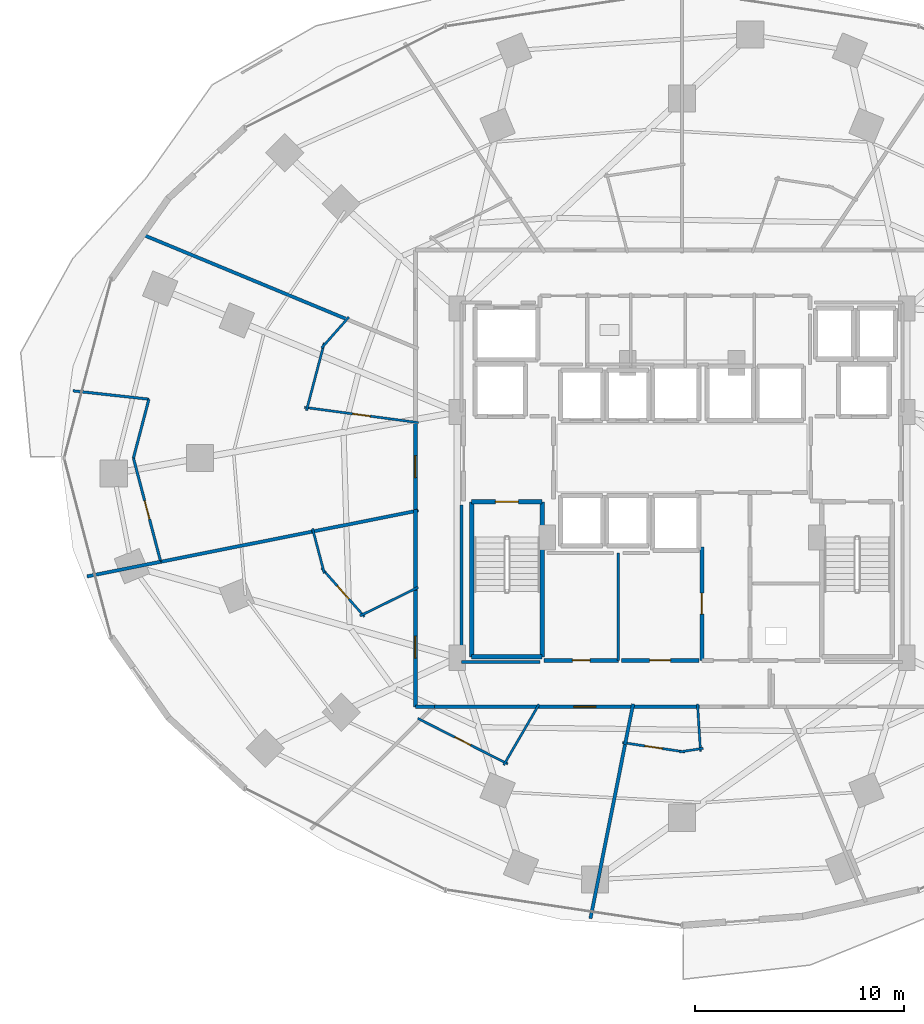
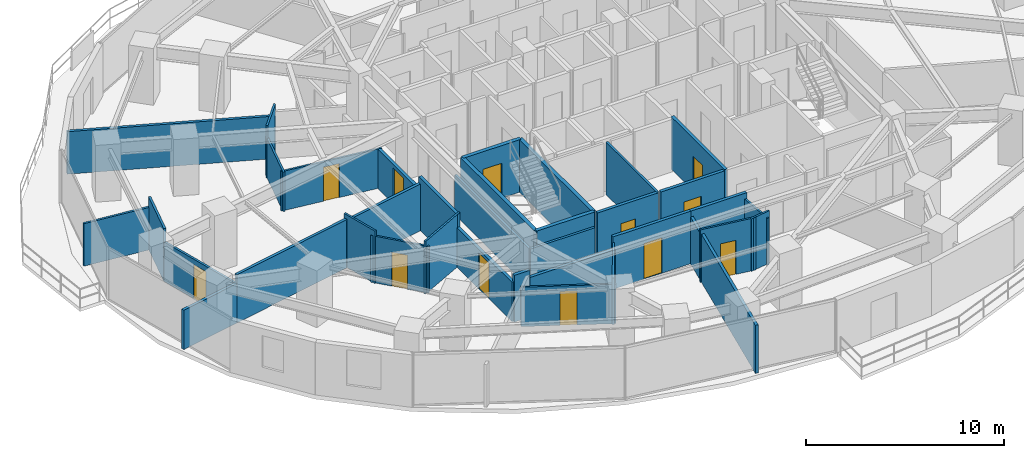
# One storey, part 27 of 35: 37 walls, 12 doors, 12 openings.
"""IFC4 building model written with IfcOpenShell, lengths in metres."""

import ifcopenshell
import ifcopenshell.guid

model = None  # the IFC model being written
_history = None  # IfcOwnerHistory: only IFC2X3 demands one
_inside = {}  # id of a spatial element -> (the spatial element, [elements in it])
_under = {}  # id of a project, library or spatial element -> (it, [spatial elements below it])
_declared = {}  # id of a project -> (the project, [libraries it declares])
_typed = {}  # id of a type object -> (the type object, [elements of that type])
_made_of = {}  # id of a material, layer set ... -> (it, [elements and type objects made of it])


def new_model(schema):
    """Start an empty IFC model of exactly this schema.

    Asked for "IFC4X3", IfcOpenShell would pick the latest addendum, in which some entities
    have other attributes; the version numbers below select the first issue.
    IFC2X3 requires an IfcOwnerHistory on every rooted entity: one is made here for all.
    """
    global model, _history
    if schema == "IFC4X3":
        model = ifcopenshell.file(schema_version=(4, 3, 0, 0))
    else:
        model = ifcopenshell.file(schema=schema)
    _inside.clear()
    _under.clear()
    _declared.clear()
    _typed.clear()
    _made_of.clear()
    _history = None
    if model.schema == "IFC2X3":
        org = make("IfcOrganization", Name="unknown")
        user = make(
            "IfcPersonAndOrganization",
            ThePerson=make("IfcPerson", FamilyName="unknown"),
            TheOrganization=org,
        )
        app = make(
            "IfcApplication",
            ApplicationDeveloper=org,
            Version="unknown",
            ApplicationFullName="unknown",
            ApplicationIdentifier="unknown",
        )
        _history = make(
            "IfcOwnerHistory",
            OwningUser=user,
            OwningApplication=app,
            ChangeAction="ADDED",
            CreationDate=0,
        )
    return model


def make(cls, **values):
    """One entity of the class cls with the attributes given. An attribute that is None is left unset."""
    return model.create_entity(
        cls, **{name: value for name, value in values.items() if value is not None}
    )


def rooted(cls, **values):
    """An entity with a GlobalId (a new one), such as an element, a storey or a relation."""
    return make(cls, GlobalId=ifcopenshell.guid.new(), OwnerHistory=_history, **values)


def si_unit(unit_type, name, prefix=None):
    """IfcSIUnit, for example si_unit("LENGTHUNIT", "METRE", prefix="MILLI")."""
    return make("IfcSIUnit", UnitType=unit_type, Prefix=prefix, Name=name)


def assignment(units):
    """IfcUnitAssignment: the units of a project."""
    return None if units is None else make("IfcUnitAssignment", Units=units)


def point(xyz):
    """IfcCartesianPoint."""
    return None if xyz is None else make("IfcCartesianPoint", Coordinates=xyz)


def direction(xyz):
    """IfcDirection."""
    return None if xyz is None else make("IfcDirection", DirectionRatios=xyz)


def frame(location, z_axis=None, x_axis=None):
    """IfcAxis2Placement3D, a coordinate frame: its origin and axes. An axis left out is left unset."""
    return make(
        "IfcAxis2Placement3D",
        Location=point(location),
        Axis=direction(z_axis),
        RefDirection=direction(x_axis),
    )


def frame_2d(location, x_axis=None):
    """IfcAxis2Placement2D, a coordinate frame in the plane: its origin and x axis."""
    return make(
        "IfcAxis2Placement2D", Location=point(location), RefDirection=direction(x_axis)
    )


def origin():
    """The frame at (0, 0, 0) with its axes left unset."""
    return frame((0.0, 0.0, 0.0))


def place(relative_to, where):
    """IfcLocalPlacement: puts the frame where relative to a parent placement (None: the world)."""
    return make(
        "IfcLocalPlacement", PlacementRelTo=relative_to, RelativePlacement=where
    )


def context(
    kind, dimensions, precision=None, world=None, true_north=None, identifier=None
):
    """IfcGeometricRepresentationContext, for example the 3D "Model" context."""
    return make(
        "IfcGeometricRepresentationContext",
        ContextIdentifier=identifier,
        ContextType=kind,
        CoordinateSpaceDimension=dimensions,
        Precision=precision,
        WorldCoordinateSystem=world,
        TrueNorth=true_north,
    )


def subcontext(parent, identifier, kind, view, scale=None):
    """IfcGeometricRepresentationSubContext, for example "Body" below "Model"."""
    return make(
        "IfcGeometricRepresentationSubContext",
        ContextIdentifier=identifier,
        ContextType=kind,
        ParentContext=parent,
        TargetScale=scale,
        TargetView=view,
    )


def project(units=None, contexts=None):
    """IfcProject with its units and contexts."""
    return rooted(
        "IfcProject",
        Name="project",
        RepresentationContexts=contexts,
        UnitsInContext=assignment(units),
    )


def spatial(cls, under=None, at=None, **own):
    """A site, building, storey or space (cls), placed at a placement, below another one or the project."""
    s = rooted(cls, ObjectPlacement=at, **own)
    if under is not None:
        _under.setdefault(under.id(), (under, []))[1].append(s)
    return s


def profile(cls, at=None, kind="AREA", **sizes):
    """A parametric profile (cls). Its sizes go by their IFC names, for example OverallWidth=200.0."""
    return make(cls, ProfileType=kind, Position=at, **sizes)


def rectangle(**sizes):
    """IfcRectangleProfileDef."""
    return profile("IfcRectangleProfileDef", **sizes)


def extrude(swept, where, along, depth):
    """IfcExtrudedAreaSolid: the profile swept, set in the frame where, extruded along a direction by depth."""
    return make(
        "IfcExtrudedAreaSolid",
        SweptArea=swept,
        Position=where,
        ExtrudedDirection=direction(along),
        Depth=depth,
    )


def shape(context_of_items, identifier, shape_type, items):
    """IfcShapeRepresentation: the items that make up one representation, for example the "Body"."""
    return make(
        "IfcShapeRepresentation",
        ContextOfItems=context_of_items,
        RepresentationIdentifier=identifier,
        RepresentationType=shape_type,
        Items=items,
    )


def material(Name=None, Category=None):
    """IfcMaterial."""
    return make("IfcMaterial", Name=Name, Category=Category)


def layer(
    of_material, thickness, ventilated=None, Name=None, Category=None, Priority=None
):
    """IfcMaterialLayer: one layer of a wall or slab, of a material (None: an air gap)."""
    return make(
        "IfcMaterialLayer",
        Material=of_material,
        LayerThickness=thickness,
        IsVentilated=ventilated,
        Name=Name,
        Category=Category,
        Priority=Priority,
    )


def layer_set(layers, Name=None):
    """IfcMaterialLayerSet."""
    return make("IfcMaterialLayerSet", MaterialLayers=layers, LayerSetName=Name)


def made_of(thing, what):
    """Note that an element or type object is made of a material, layer set ...; save() writes the relation."""
    if what is not None:
        _made_of.setdefault(what.id(), (what, []))[1].append(thing)
    return thing


def type_object(cls, material=None, **own):
    """A type object (cls), such as IfcWallType, which elements share."""
    return made_of(rooted(cls, **own), material)


def element(
    cls,
    number,
    at=None,
    inside=None,
    cuts=None,
    type_object=None,
    material=None,
    context=None,
    identifier="Body",
    shape_type=None,
    held_by="IfcProductDefinitionShape",
    body=None,
    shapes=None,
    **own,
):
    """One element of the class cls, such as IfcWall. Its Tag is "e" and its number.

    at: its placement. inside: the storey or other place that contains it. cuts: it is an
    opening in that element (IfcRelVoidsElement). A single representation is given by context,
    identifier, shape_type and body (its items); several are given by shapes. held_by: the class
    of the entity that holds the representations. save() writes the other relations.
    """
    e = rooted(cls, Tag="e%d" % number, ObjectPlacement=at, **own)
    if body is not None:
        shapes = [shape(context, identifier, shape_type, body)]
    if shapes is not None:
        e.Representation = make(held_by, Representations=shapes)
    if inside is not None:
        _inside.setdefault(inside.id(), (inside, []))[1].append(e)
    if cuts is not None:
        rooted(
            "IfcRelVoidsElement", RelatingBuildingElement=cuts, RelatedOpeningElement=e
        )
    if type_object is not None:
        _typed.setdefault(type_object.id(), (type_object, []))[1].append(e)
    return made_of(e, material)


def fill(opening, filler):
    """IfcRelFillsElement: the door or window that sits in an opening."""
    return rooted(
        "IfcRelFillsElement",
        RelatingOpeningElement=opening,
        RelatedBuildingElement=filler,
    )


def aggregate(whole, parts):
    """IfcRelAggregates: a whole, such as a stair, and the parts it consists of."""
    return rooted("IfcRelAggregates", RelatingObject=whole, RelatedObjects=parts)


def save(model, path):
    """Write the relations noted so far, then the file.

    IfcRelAggregates (storeys below a building ...), IfcRelContainedInSpatialStructure (elements
    in a storey), IfcRelDefinesByType, IfcRelAssociatesMaterial and IfcRelDeclares: one each for
    every whole, place, type object, material and project.
    """
    for whole, parts in _under.values():
        aggregate(whole, parts)
    for where, things in _inside.values():
        rooted(
            "IfcRelContainedInSpatialStructure",
            RelatedElements=things,
            RelatingStructure=where,
        )
    for kind, things in _typed.values():
        rooted("IfcRelDefinesByType", RelatedObjects=things, RelatingType=kind)
    for what, things in _made_of.values():
        rooted("IfcRelAssociatesMaterial", RelatedObjects=things, RelatingMaterial=what)
    for by, libraries in _declared.values():
        rooted("IfcRelDeclares", RelatingContext=by, RelatedDefinitions=libraries)
    model.write(path)


model = new_model("IFC4")

# Units and contexts
model_context = context("Model", 3, precision=1e-05, world=origin(), true_north=direction((0.0, 1.0)))
body_context = subcontext(model_context, "Body", "Model", "MODEL_VIEW")
ifc_project = project(units=[si_unit("LENGTHUNIT", "METRE"), si_unit("AREAUNIT", "SQUARE_METRE"), si_unit("VOLUMEUNIT", "CUBIC_METRE"), si_unit("PLANEANGLEUNIT", "RADIAN"), si_unit("MASSUNIT", "GRAM", prefix="KILO")], contexts=[model_context])

# Site, building, storey
site_placement = place(None, origin())
site = spatial("IfcSite", under=ifc_project, at=site_placement, CompositionType="ELEMENT")
building_placement = place(site_placement, origin())
building = spatial("IfcBuilding", under=site, at=building_placement, Name="Vorneva Point Tower", CompositionType="ELEMENT")
storey_placement = place(building_placement, frame((0.0, 0.0, 45.0)))
storey = spatial("IfcBuildingStorey", under=building, at=storey_placement, Name="L11", CompositionType="ELEMENT", Elevation=45.0)

# Wall, opening, door
ifc_material_1 = material(Name="Fire-rated acoustic gypsum stud partition", Category="gypsum")
ifc_layer_1 = layer(ifc_material_1, 0.110107421875)
ifc_layer_set_1 = layer_set([ifc_layer_1], Name="Fire-rated acoustic gypsum stud partition")
wall_type_1 = type_object("IfcWallType", Name="WL-PART-110", PredefinedType="PARTITIONING", material=ifc_layer_set_1)
wall_1_placement = place(storey_placement, frame((25.388916015625, 27.6943359375, 0.0), z_axis=(0.0, 0.0, 1.0), x_axis=(-0.991111683087, 0.133032445848, 0.0)))
wall_1 = element("IfcWall", 1, at=wall_1_placement, inside=storey, type_object=wall_type_1, Name="L11 Interior Partition 069", PredefinedType="PARTITIONING", context=body_context, shape_type="SweptSolid", body=[
    extrude(rectangle(XDim=5.503662109375, YDim=0.110107421875, at=frame_2d((2.751953125, 0.0))), origin(), (0.0, 0.0, 1.0), 2.431884765625),
])
opening_1_placement = place(wall_1_placement, frame((2.326904296875, 0.0, 0.0)))
opening_1 = element("IfcOpeningElement", 2, at=opening_1_placement, cuts=wall_1, Name="Opening ID-02", PredefinedType="OPENING", context=body_context, shape_type="SweptSolid", body=[
    extrude(rectangle(XDim=0.85009765625, YDim=2.10009765625, at=frame_2d((0.425048828125, 1.050048828125))), frame((0.0, 0.06982421875, 0.0), z_axis=(0.0, -1.0, 0.0), x_axis=(1.0, 0.0, 0.0)), (0.0, 0.0, 1.0), 0.139892578125),
])
ifc_material_2 = material(Name="Engineered oak fire-rated door leaf", Category="wood")
door_type_1 = type_object("IfcDoorType", Name="DR-BATH-850", OperationType="NOTDEFINED", PredefinedType="DOOR", material=ifc_material_2)
door_1_placement = place(opening_1_placement, origin())
door_1 = element("IfcDoor", 3, at=door_1_placement, inside=storey, type_object=door_type_1, Name="L11 Door Junior Suite L11-05 / En-Suite Bathroom L11-05", OperationType="SINGLE_SWING_LEFT", OverallHeight=2.10009765625, OverallWidth=0.85009765625, PredefinedType="DOOR", context=body_context, shape_type="SweptSolid", body=[
    extrude(rectangle(XDim=0.85009765625, YDim=2.10009765625, at=frame_2d((0.425048828125, 1.050048828125))), frame((0.0, 0.02490234375, 0.0), z_axis=(0.0, -1.0, 0.0), x_axis=(1.0, 0.0, 0.0)), (0.0, 0.0, 1.0), 0.050048828125),
])
fill(opening_1, door_1)

# Walls
wall_2_placement = place(storey_placement, frame((20.037353515625, 28.272705078125, 0.0), z_axis=(0.0, 0.0, 1.0), x_axis=(0.254593926267, 0.967048050878, 0.0)))
element("IfcWall", 4, at=wall_2_placement, inside=storey, type_object=wall_type_1, Name="L11 Interior Partition 070", PredefinedType="PARTITIONING", context=body_context, shape_type="SweptSolid", body=[
    extrude(rectangle(XDim=3.34375, YDim=0.110107421875, at=frame_2d((1.671875, 0.0))), origin(), (0.0, 0.0, 1.0), 2.431884765625),
])
wall_3_placement = place(storey_placement, frame((20.76025390625, 31.26611328125, 0.0), z_axis=(0.0, 0.0, 1.0), x_axis=(0.662047420969, 0.749461948593, 0.0)))
element("IfcWall", 5, at=wall_3_placement, inside=storey, type_object=wall_type_1, Name="L11 Interior Partition 071", PredefinedType="PARTITIONING", context=body_context, shape_type="SweptSolid", body=[
    extrude(rectangle(XDim=1.9716796875, YDim=0.110107421875, at=frame_2d((0.98583984375, 0.0))), origin(), (0.0, 0.0, 1.0), 3.239990234375),
])
wall_4_placement = place(storey_placement, frame((25.375732421875, 19.815673828125, 0.0), z_axis=(0.0, 0.0, 1.0), x_axis=(-0.89800930559, -0.439976461954, 0.0)))
element("IfcWall", 6, at=wall_4_placement, inside=storey, type_object=wall_type_1, Name="L11 Interior Partition 078", PredefinedType="PARTITIONING", context=body_context, shape_type="SweptSolid", body=[
    extrude(rectangle(XDim=3.09619140625, YDim=0.110107421875, at=frame_2d((1.548095703125, 0.0))), origin(), (0.0, 0.0, 1.0), 3.239990234375),
])

# Wall, opening, door
wall_5_placement = place(storey_placement, frame((22.813720703125, 18.41015625, 0.0), z_axis=(0.0, 0.0, 1.0), x_axis=(-0.662186487972, 0.749339078887, 0.0)))
wall_5 = element("IfcWall", 7, at=wall_5_placement, inside=storey, type_object=wall_type_1, Name="L11 Interior Partition 079", PredefinedType="PARTITIONING", context=body_context, shape_type="SweptSolid", body=[
    extrude(rectangle(XDim=3.10107421875, YDim=0.110107421875, at=frame_2d((1.550537109375, 0.0))), origin(), (0.0, 0.0, 1.0), 2.885986328125),
])
opening_2_placement = place(wall_5_placement, frame((1.12548828125, 0.0, 0.0)))
opening_2 = element("IfcOpeningElement", 8, at=opening_2_placement, cuts=wall_5, Name="Opening ID-02", PredefinedType="OPENING", context=body_context, shape_type="SweptSolid", body=[
    extrude(rectangle(XDim=0.85009765625, YDim=2.10009765625, at=frame_2d((0.425048828125, 1.050048828125))), frame((0.0, 0.06982421875, 0.0), z_axis=(0.0, -1.0, 0.0), x_axis=(1.0, 0.0, 0.0)), (0.0, 0.0, 1.0), 0.139892578125),
])
door_2_placement = place(opening_2_placement, origin())
door_2 = element("IfcDoor", 9, at=door_2_placement, inside=storey, type_object=door_type_1, Name="L11 Door Executive Suite L11-06 / En-Suite Bathroom L11-06", OperationType="SINGLE_SWING_LEFT", OverallHeight=2.10009765625, OverallWidth=0.85009765625, PredefinedType="DOOR", context=body_context, shape_type="SweptSolid", body=[
    extrude(rectangle(XDim=0.85009765625, YDim=2.10009765625, at=frame_2d((0.425048828125, 1.050048828125))), frame((0.0, 0.02490234375, 0.0), z_axis=(0.0, -1.0, 0.0), x_axis=(1.0, 0.0, 0.0)), (0.0, 0.0, 1.0), 0.050048828125),
])
fill(opening_2, door_2)

# Wall
wall_6_placement = place(storey_placement, frame((20.888671875, 20.49365234375, 0.0), z_axis=(0.0, 0.0, 1.0), x_axis=(-0.254389812051, 0.967101764823, 0.0)))
element("IfcWall", 10, at=wall_6_placement, inside=storey, type_object=wall_type_1, Name="L11 Interior Partition 080", PredefinedType="PARTITIONING", context=body_context, shape_type="SweptSolid", body=[
    extrude(rectangle(XDim=2.206298828125, YDim=0.110107421875, at=frame_2d((1.10302734375, 0.0))), origin(), (0.0, 0.0, 1.0), 3.239990234375),
])

# Wall, opening, door
wall_7_placement = place(storey_placement, frame((29.6650390625, 11.371826171875, 0.0), z_axis=(0.0, 0.0, 1.0), x_axis=(-0.892577568201, 0.450893873039, 0.0)))
wall_7 = element("IfcWall", 11, at=wall_7_placement, inside=storey, type_object=wall_type_1, Name="L11 Interior Partition 082", PredefinedType="PARTITIONING", context=body_context, shape_type="SweptSolid", body=[
    extrude(rectangle(XDim=4.824462890625, YDim=0.110107421875, at=frame_2d((2.412109375, 0.0))), origin(), (0.0, 0.0, 1.0), 2.431884765625),
])
opening_3_placement = place(wall_7_placement, frame((1.987060546875, 0.0, 0.0)))
opening_3 = element("IfcOpeningElement", 12, at=opening_3_placement, cuts=wall_7, Name="Opening ID-02", PredefinedType="OPENING", context=body_context, shape_type="SweptSolid", body=[
    extrude(rectangle(XDim=0.85009765625, YDim=2.10009765625, at=frame_2d((0.425048828125, 1.050048828125))), frame((0.0, 0.06982421875, 0.0), z_axis=(0.0, -1.0, 0.0), x_axis=(1.0, 0.0, 0.0)), (0.0, 0.0, 1.0), 0.139892578125),
])
door_3_placement = place(opening_3_placement, origin())
door_3 = element("IfcDoor", 13, at=door_3_placement, inside=storey, type_object=door_type_1, Name="L11 Door Corner Suite L11-07 / En-Suite Bathroom L11-07", OperationType="SINGLE_SWING_RIGHT", OverallHeight=2.10009765625, OverallWidth=0.85009765625, PredefinedType="DOOR", context=body_context, shape_type="SweptSolid", body=[
    extrude(rectangle(XDim=0.85009765625, YDim=2.10009765625, at=frame_2d((0.425048828125, 1.050048828125))), frame((0.0, 0.02490234375, 0.0), z_axis=(0.0, -1.0, 0.0), x_axis=(1.0, 0.0, 0.0)), (0.0, 0.0, 1.0), 0.050048828125),
])
fill(opening_3, door_3)

# Walls
wall_8_placement = place(storey_placement, frame((31.158203125, 14.22119140625, 0.0), z_axis=(0.0, 0.0, 1.0), x_axis=(-0.50222661214, -0.864736046466, 0.0)))
element("IfcWall", 14, at=wall_8_placement, inside=storey, type_object=wall_type_1, Name="L11 Interior Partition 083", PredefinedType="PARTITIONING", context=body_context, shape_type="SweptSolid", body=[
    extrude(rectangle(XDim=3.362060546875, YDim=0.110107421875, at=frame_2d((1.68115234375, 0.0))), origin(), (0.0, 0.0, 1.0), 2.885986328125),
])
wall_9_placement = place(storey_placement, frame((38.740234375, 14.23974609375, 0.0), z_axis=(0.0, 0.0, 1.0), x_axis=(0.062743659702, -0.998029675494, 0.0)))
element("IfcWall", 15, at=wall_9_placement, inside=storey, type_object=wall_type_1, Name="L11 Interior Partition 086", PredefinedType="PARTITIONING", context=body_context, shape_type="SweptSolid", body=[
    extrude(rectangle(XDim=2.287841796875, YDim=0.110107421875, at=frame_2d((1.14404296875, 0.0))), origin(), (0.0, 0.0, 1.0), 2.885986328125),
])
wall_10_placement = place(storey_placement, frame((39.013427734375, 12.116943359375, 0.0), z_axis=(0.0, 0.0, 1.0), x_axis=(-0.988803754909, -0.14922176208, 0.0)))
element("IfcWall", 16, at=wall_10_placement, inside=storey, type_object=wall_type_1, Name="L11 Interior Partition 087", PredefinedType="PARTITIONING", context=body_context, shape_type="SweptSolid", body=[
    extrude(rectangle(XDim=1.164794921875, YDim=0.110107421875, at=frame_2d((0.58251953125, 0.0))), origin(), (0.0, 0.0, 1.0), 3.239990234375),
])

# Wall, opening, door
wall_11_placement = place(storey_placement, frame((38.138427734375, 11.943115234375, 0.0), z_axis=(0.0, 0.0, 1.0), x_axis=(-0.988861549405, 0.148838288446, 0.0)))
wall_11 = element("IfcWall", 17, at=wall_11_placement, inside=storey, type_object=wall_type_1, Name="L11 Interior Partition 088", PredefinedType="PARTITIONING", context=body_context, shape_type="SweptSolid", body=[
    extrude(rectangle(XDim=3.021484375, YDim=0.110107421875, at=frame_2d((1.5107421875, 0.0))), origin(), (0.0, 0.0, 1.0), 3.239990234375),
])
opening_4_placement = place(wall_11_placement, frame((1.085693359375, 0.0, 0.0)))
opening_4 = element("IfcOpeningElement", 18, at=opening_4_placement, cuts=wall_11, Name="Opening ID-02", PredefinedType="OPENING", context=body_context, shape_type="SweptSolid", body=[
    extrude(rectangle(XDim=0.85009765625, YDim=2.10009765625, at=frame_2d((0.425048828125, 1.050048828125))), frame((0.0, 0.06982421875, 0.0), z_axis=(0.0, -1.0, 0.0), x_axis=(1.0, 0.0, 0.0)), (0.0, 0.0, 1.0), 0.139892578125),
])
door_4_placement = place(opening_4_placement, origin())
door_4 = element("IfcDoor", 19, at=door_4_placement, inside=storey, type_object=door_type_1, Name="L11 Door Junior Suite L11-08 / En-Suite Bathroom L11-08", OperationType="SINGLE_SWING_LEFT", OverallHeight=2.10009765625, OverallWidth=0.85009765625, PredefinedType="DOOR", context=body_context, shape_type="SweptSolid", body=[
    extrude(rectangle(XDim=0.85009765625, YDim=2.10009765625, at=frame_2d((0.425048828125, 1.050048828125))), frame((0.0, 0.02490234375, 0.0), z_axis=(0.0, -1.0, 0.0), x_axis=(1.0, 0.0, 0.0)), (0.0, 0.0, 1.0), 0.050048828125),
])
fill(opening_4, door_4)

# Walls
ifc_layer_2 = layer(ifc_material_1, 0.125)
ifc_layer_set_2 = layer_set([ifc_layer_2], Name="Fire-rated acoustic gypsum stud partition")
wall_type_2 = type_object("IfcWallType", Name="WL-PART-125", PredefinedType="PARTITIONING", material=ifc_layer_set_2)
wall_12_placement = place(storey_placement, frame((34.949951171875, 16.320068359375, 0.0), z_axis=(0.0, 0.0, 1.0), x_axis=(0.0, 1.0, 0.0)))
element("IfcWall", 20, at=wall_12_placement, inside=storey, type_object=wall_type_2, Name="L11 Interior Partition 025", PredefinedType="PARTITIONING", context=body_context, shape_type="SweptSolid", body=[
    extrude(rectangle(XDim=5.1298828125, YDim=0.125, at=frame_2d((2.56494140625, 0.0))), origin(), (0.0, 0.0, 1.0), 3.239990234375),
])
wall_13_placement = place(storey_placement, frame((8.868896484375, 29.216064453125, 0.0), z_axis=(0.0, 0.0, 1.0), x_axis=(0.99395362386, -0.109800699523, 0.0)))
element("IfcWall", 21, at=wall_13_placement, inside=storey, type_object=wall_type_2, Name="L11 Interior Partition 072", PredefinedType="PARTITIONING", context=body_context, shape_type="SweptSolid", body=[
    extrude(rectangle(XDim=3.653076171875, YDim=0.125, at=frame_2d((1.82666015625, 0.0))), origin(), (0.0, 0.0, 1.0), 2.6240234375),
])
wall_14_placement = place(storey_placement, frame((12.5, 28.81494140625, 0.0), z_axis=(0.0, 0.0, 1.0), x_axis=(-0.254241432202, -0.967140783005, 0.0)))
element("IfcWall", 22, at=wall_14_placement, inside=storey, type_object=wall_type_2, Name="L11 Interior Partition 073", PredefinedType="PARTITIONING", context=body_context, shape_type="SweptSolid", body=[
    extrude(rectangle(XDim=2.91064453125, YDim=0.125, at=frame_2d((1.455322265625, 0.0))), origin(), (0.0, 0.0, 1.0), 3.239990234375),
])

# Wall, opening, door
wall_15_placement = place(storey_placement, frame((11.760009765625, 26.0, 0.0), z_axis=(0.0, 0.0, 1.0), x_axis=(0.254434720755, -0.967089950767, 0.0)))
wall_15 = element("IfcWall", 23, at=wall_15_placement, inside=storey, type_object=wall_type_2, Name="L11 Interior Partition 074", PredefinedType="PARTITIONING", context=body_context, shape_type="SweptSolid", body=[
    extrude(rectangle(XDim=5.128662109375, YDim=0.125, at=frame_2d((2.564453125, 0.0))), origin(), (0.0, 0.0, 1.0), 2.431884765625),
])
opening_5_placement = place(wall_15_placement, frame((2.114501953125, 0.0, 0.0)))
opening_5 = element("IfcOpeningElement", 24, at=opening_5_placement, cuts=wall_15, Name="Opening ID-01", PredefinedType="OPENING", context=body_context, shape_type="SweptSolid", body=[
    extrude(rectangle(XDim=0.89990234375, YDim=2.10009765625, at=frame_2d((0.449951171875, 1.050048828125))), frame((0.0, 0.077392578125, 0.0), z_axis=(0.0, -1.0, 0.0), x_axis=(1.0, 0.0, 0.0)), (0.0, 0.0, 1.0), 0.15478515625),
])
door_type_2 = type_object("IfcDoorType", Name="DR-ROOM-900", OperationType="NOTDEFINED", PredefinedType="DOOR", material=ifc_material_2)
door_5_placement = place(opening_5_placement, origin())
door_5 = element("IfcDoor", 25, at=door_5_placement, inside=storey, type_object=door_type_2, Name="L11 Door Junior Suite L11-05 / Suite Sitting Study L11-05", OperationType="SINGLE_SWING_RIGHT", OverallHeight=2.10009765625, OverallWidth=0.89990234375, PredefinedType="DOOR", context=body_context, shape_type="SweptSolid", body=[
    extrude(rectangle(XDim=0.89990234375, YDim=2.10009765625, at=frame_2d((0.449951171875, 1.050048828125))), frame((0.0, 0.02490234375, 0.0), z_axis=(0.0, -1.0, 0.0), x_axis=(1.0, 0.0, 0.0)), (0.0, 0.0, 1.0), 0.050048828125),
])
fill(opening_5, door_5)

# Walls
ifc_layer_3 = layer(ifc_material_1, 0.139892578125)
ifc_layer_set_3 = layer_set([ifc_layer_3], Name="Fire-rated acoustic gypsum stud partition")
wall_type_3 = type_object("IfcWallType", Name="WL-PART-140", PredefinedType="PARTITIONING", material=ifc_layer_set_3)
wall_16_placement = place(storey_placement, frame((31.195068359375, 16.239990234375, 0.0), z_axis=(0.0, 0.0, 1.0), x_axis=(-1.0, 0.0, 0.0)))
element("IfcWall", 26, at=wall_16_placement, inside=storey, type_object=wall_type_3, Name="L11 Interior Closure Partition 104", PredefinedType="PARTITIONING", context=body_context, shape_type="SweptSolid", body=[
    extrude(rectangle(XDim=3.7451171875, YDim=0.139892578125, at=frame_2d((1.87255859375, 0.0))), origin(), (0.0, 0.0, 1.0), 2.431884765625),
])
wall_17_placement = place(storey_placement, frame((27.449951171875, 16.239990234375, 0.0), z_axis=(0.0, 0.0, 1.0), x_axis=(0.0, 1.0, 0.0)))
element("IfcWall", 27, at=wall_17_placement, inside=storey, type_object=wall_type_3, Name="L11 Interior Closure Partition 105", PredefinedType="PARTITIONING", context=body_context, shape_type="SweptSolid", body=[
    extrude(rectangle(XDim=7.513916015625, YDim=0.139892578125, at=frame_2d((3.7568359375, 0.0))), origin(), (0.0, 0.0, 1.0), 2.431884765625),
])
ifc_layer_4 = layer(ifc_material_1, 0.159912109375)
ifc_layer_set_4 = layer_set([ifc_layer_4], Name="Fire-rated acoustic gypsum stud partition")
wall_type_4 = type_object("IfcWallType", Name="WL-PART-160", PredefinedType="PARTITIONING", material=ifc_layer_set_4)
wall_18_placement = place(storey_placement, frame((12.20703125, 36.68408203125, 0.0), z_axis=(0.0, 0.0, 1.0), x_axis=(0.923876032578, -0.382691881842, 0.0)))
element("IfcWall", 28, at=wall_18_placement, inside=storey, type_object=wall_type_4, Name="L11 Interior Partition 067", PredefinedType="PARTITIONING", context=body_context, shape_type="SweptSolid", body=[
    extrude(rectangle(XDim=10.63037109375, YDim=0.159912109375, at=frame_2d((5.315185546875, 0.0))), origin(), (0.0, 0.0, 1.0), 2.6240234375),
])
wall_19_placement = place(storey_placement, frame((13.06494140625, 21.0400390625, 0.0), z_axis=(0.0, 0.0, 1.0), x_axis=(0.980774220135, 0.195145917502, 0.0)))
element("IfcWall", 29, at=wall_19_placement, inside=storey, type_object=wall_type_4, Name="L11 Interior Partition 075", PredefinedType="PARTITIONING", context=body_context, shape_type="SweptSolid", body=[
    extrude(rectangle(XDim=7.50146484375, YDim=0.159912109375, at=frame_2d((3.750732421875, 0.0))), origin(), (0.0, 0.0, 1.0), 2.971923828125),
])
wall_20_placement = place(storey_placement, frame((20.284912109375, 22.476318359375, 0.0), z_axis=(0.0, 0.0, 1.0), x_axis=(0.980785905074, 0.195087181559, 0.0)))
element("IfcWall", 30, at=wall_20_placement, inside=storey, type_object=wall_type_4, Name="L11 Interior Partition 076", PredefinedType="PARTITIONING", context=body_context, shape_type="SweptSolid", body=[
    extrude(rectangle(XDim=5.2021484375, YDim=0.159912109375, at=frame_2d((2.60107421875, 0.0))), origin(), (0.0, 0.0, 1.0), 2.885986328125),
])
wall_21_placement = place(storey_placement, frame((9.541015625, 20.339111328125, 0.0), z_axis=(0.0, 0.0, 1.0), x_axis=(0.980786594985, 0.195083713053, 0.0)))
element("IfcWall", 31, at=wall_21_placement, inside=storey, type_object=wall_type_4, Name="L11 Interior Partition 077", PredefinedType="PARTITIONING", context=body_context, shape_type="SweptSolid", body=[
    extrude(rectangle(XDim=3.593017578125, YDim=0.159912109375, at=frame_2d((1.79638671875, 0.0))), origin(), (0.0, 0.0, 1.0), 2.431884765625),
])
wall_22_placement = place(storey_placement, frame((33.618896484375, 3.97705078125, 0.0), z_axis=(0.0, 0.0, 1.0), x_axis=(0.195151937053, 0.980773022398, 0.0)))
element("IfcWall", 32, at=wall_22_placement, inside=storey, type_object=wall_type_4, Name="L11 Interior Partition 084", PredefinedType="PARTITIONING", context=body_context, shape_type="SweptSolid", body=[
    extrude(rectangle(XDim=8.61962890625, YDim=0.159912109375, at=frame_2d((4.309814453125, 0.0))), origin(), (0.0, 0.0, 1.0), 2.971923828125),
])
wall_23_placement = place(storey_placement, frame((35.274169921875, 12.293701171875, 0.0), z_axis=(0.0, 0.0, 1.0), x_axis=(0.194907646023, 0.980821599233, 0.0)))
element("IfcWall", 33, at=wall_23_placement, inside=storey, type_object=wall_type_4, Name="L11 Interior Partition 085", PredefinedType="PARTITIONING", context=body_context, shape_type="SweptSolid", body=[
    extrude(rectangle(XDim=1.981689453125, YDim=0.159912109375, at=frame_2d((0.99072265625, 0.0))), origin(), (0.0, 0.0, 1.0), 2.885986328125),
])

# Wall, opening, door
ifc_material_3 = material(Name="Autoclaved aerated concrete blockwork", Category="masonry")
ifc_layer_5 = layer(ifc_material_3, 0.179931640625)
ifc_layer_set_5 = layer_set([ifc_layer_5], Name="Autoclaved aerated concrete blockwork")
wall_type_5 = type_object("IfcWallType", Name="WL-PART-180", PredefinedType="PARTITIONING", material=ifc_layer_set_5)
wall_24_placement = place(storey_placement, frame((38.949951171875, 21.7548828125, 0.0), z_axis=(0.0, 0.0, 1.0), x_axis=(0.0, -1.0, 0.0)))
wall_24 = element("IfcWall", 34, at=wall_24_placement, inside=storey, type_object=wall_type_5, Name="L11 Interior Partition 013", PredefinedType="PARTITIONING", context=body_context, shape_type="SweptSolid", body=[
    extrude(rectangle(XDim=5.434814453125, YDim=0.179931640625, at=frame_2d((2.71728515625, 0.0))), origin(), (0.0, 0.0, 1.0), 3.239990234375),
])
opening_6_placement = place(wall_24_placement, frame((2.217529296875, 0.0, 0.0)))
opening_6 = element("IfcOpeningElement", 35, at=opening_6_placement, cuts=wall_24, Name="Opening UD-01", PredefinedType="OPENING", context=body_context, shape_type="SweptSolid", body=[
    extrude(rectangle(XDim=1.0, YDim=2.14990234375, at=frame_2d((0.5, 1.074951171875))), frame((0.0, 0.10498046875, 0.0), z_axis=(0.0, -1.0, 0.0), x_axis=(1.0, 0.0, 0.0)), (0.0, 0.0, 1.0), 0.209716796875),
])
door_type_3 = type_object("IfcDoorType", Name="DR-UNIT-1000", OperationType="NOTDEFINED", PredefinedType="DOOR", material=ifc_material_2)
door_6_placement = place(opening_6_placement, origin())
door_6 = element("IfcDoor", 36, at=door_6_placement, inside=storey, type_object=door_type_3, Name="L11 Door Core Service Lobby / Staff Service Pantry", OperationType="SINGLE_SWING_RIGHT", OverallHeight=2.14990234375, OverallWidth=1.0, PredefinedType="DOOR", context=body_context, shape_type="SweptSolid", body=[
    extrude(rectangle(XDim=1.0, YDim=2.14990234375, at=frame_2d((0.5, 1.074951171875))), frame((0.0, 0.02490234375, 0.0), z_axis=(0.0, -1.0, 0.0), x_axis=(1.0, 0.0, 0.0)), (0.0, 0.0, 1.0), 0.050048828125),
])
fill(opening_6, door_6)

wall_25_placement = place(storey_placement, frame((31.39990234375, 16.320068359375, 0.0), z_axis=(0.0, 0.0, 1.0), x_axis=(1.0, 0.0, 0.0)))
wall_25 = element("IfcWall", 37, at=wall_25_placement, inside=storey, type_object=wall_type_5, Name="L11 Interior Partition 026", PredefinedType="PARTITIONING", context=body_context, shape_type="SweptSolid", body=[
    extrude(rectangle(XDim=3.550048828125, YDim=0.179931640625, at=frame_2d((1.77490234375, 0.0))), origin(), (0.0, 0.0, 1.0), 3.239990234375),
])
opening_7_placement = place(wall_25_placement, frame((1.35009765625, 0.0, 0.0)))
opening_7 = element("IfcOpeningElement", 38, at=opening_7_placement, cuts=wall_25, Name="Opening ID-02", PredefinedType="OPENING", context=body_context, shape_type="SweptSolid", body=[
    extrude(rectangle(XDim=0.85009765625, YDim=2.10009765625, at=frame_2d((0.425048828125, 1.050048828125))), frame((0.0, 0.10498046875, 0.0), z_axis=(0.0, -1.0, 0.0), x_axis=(1.0, 0.0, 0.0)), (0.0, 0.0, 1.0), 0.209716796875),
])
door_7_placement = place(opening_7_placement, origin())
door_7 = element("IfcDoor", 39, at=door_7_placement, inside=storey, type_object=door_type_1, Name="L11 Door Housekeeping Room / L11 Circulation Corridor", OperationType="SINGLE_SWING_LEFT", OverallHeight=2.10009765625, OverallWidth=0.85009765625, PredefinedType="DOOR", context=body_context, shape_type="SweptSolid", body=[
    extrude(rectangle(XDim=0.85009765625, YDim=2.10009765625, at=frame_2d((0.425048828125, 1.050048828125))), frame((0.0, 0.02490234375, 0.0), z_axis=(0.0, -1.0, 0.0), x_axis=(1.0, 0.0, 0.0)), (0.0, 0.0, 1.0), 0.050048828125),
])
fill(opening_7, door_7)

wall_26_placement = place(storey_placement, frame((35.10009765625, 16.320068359375, 0.0), z_axis=(0.0, 0.0, 1.0), x_axis=(1.0, 0.0, 0.0)))
wall_26 = element("IfcWall", 40, at=wall_26_placement, inside=storey, type_object=wall_type_5, Name="L11 Interior Partition 027", PredefinedType="PARTITIONING", context=body_context, shape_type="SweptSolid", body=[
    extrude(rectangle(XDim=3.699951171875, YDim=0.179931640625, at=frame_2d((1.85009765625, 0.0))), origin(), (0.0, 0.0, 1.0), 3.239990234375),
])
opening_8_placement = place(wall_26_placement, frame((1.35009765625, 0.0, 0.0)))
opening_8 = element("IfcOpeningElement", 41, at=opening_8_placement, cuts=wall_26, Name="Opening UD-01", PredefinedType="OPENING", context=body_context, shape_type="SweptSolid", body=[
    extrude(rectangle(XDim=1.0, YDim=2.14990234375, at=frame_2d((0.5, 1.074951171875))), frame((0.0, 0.10498046875, 0.0), z_axis=(0.0, -1.0, 0.0), x_axis=(1.0, 0.0, 0.0)), (0.0, 0.0, 1.0), 0.209716796875),
])
door_8_placement = place(opening_8_placement, origin())
door_8 = element("IfcDoor", 42, at=door_8_placement, inside=storey, type_object=door_type_3, Name="L11 Door Staff Service Pantry / L11 Circulation Corridor", OperationType="SINGLE_SWING_RIGHT", OverallHeight=2.14990234375, OverallWidth=1.0, PredefinedType="DOOR", context=body_context, shape_type="SweptSolid", body=[
    extrude(rectangle(XDim=1.0, YDim=2.14990234375, at=frame_2d((0.5, 1.074951171875))), frame((0.0, 0.02490234375, 0.0), z_axis=(0.0, -1.0, 0.0), x_axis=(1.0, 0.0, 0.0)), (0.0, 0.0, 1.0), 0.050048828125),
])
fill(opening_8, door_8)

wall_27_placement = place(storey_placement, frame((25.25, 27.77392578125, 0.0), z_axis=(0.0, 0.0, 1.0), x_axis=(0.0, -1.0, 0.0)))
wall_27 = element("IfcWall", 43, at=wall_27_placement, inside=storey, type_object=wall_type_5, Name="L11 Interior Partition 037", PredefinedType="PARTITIONING", context=body_context, shape_type="SweptSolid", body=[
    extrude(rectangle(XDim=4.370849609375, YDim=0.179931640625, at=frame_2d((2.185546875, 0.0))), origin(), (0.0, 0.0, 1.0), 2.431884765625),
])
opening_9_placement = place(wall_27_placement, frame((1.660400390625, 0.0, 0.0)))
opening_9 = element("IfcOpeningElement", 44, at=opening_9_placement, cuts=wall_27, Name="Opening UD-02", PredefinedType="OPENING", context=body_context, shape_type="SweptSolid", body=[
    extrude(rectangle(XDim=1.050048828125, YDim=2.199951171875, at=frame_2d((0.52490234375, 1.10009765625))), frame((0.0, 0.10498046875, 0.0), z_axis=(0.0, -1.0, 0.0), x_axis=(1.0, 0.0, 0.0)), (0.0, 0.0, 1.0), 0.209716796875),
])
door_type_4 = type_object("IfcDoorType", Name="DR-SUITE-1050", OperationType="NOTDEFINED", PredefinedType="DOOR", material=ifc_material_2)
door_9_placement = place(opening_9_placement, origin())
door_9 = element("IfcDoor", 45, at=door_9_placement, inside=storey, type_object=door_type_4, Name="L11 Door L11 Circulation Corridor / Junior Suite L11-05", OperationType="SINGLE_SWING_LEFT", OverallHeight=2.199951171875, OverallWidth=1.050048828125, PredefinedType="DOOR", context=body_context, shape_type="SweptSolid", body=[
    extrude(rectangle(XDim=1.050048828125, YDim=2.199951171875, at=frame_2d((0.52490234375, 1.10009765625))), frame((0.0, 0.02490234375, 0.0), z_axis=(0.0, -1.0, 0.0), x_axis=(1.0, 0.0, 0.0)), (0.0, 0.0, 1.0), 0.050048828125),
])
fill(opening_9, door_9)

wall_28_placement = place(storey_placement, frame((25.25, 19.81396484375, 0.0), z_axis=(0.0, 0.0, 1.0), x_axis=(0.0, -1.0, 0.0)))
wall_28 = element("IfcWall", 46, at=wall_28_placement, inside=storey, type_object=wall_type_5, Name="L11 Interior Partition 039", PredefinedType="PARTITIONING", context=body_context, shape_type="SweptSolid", body=[
    extrude(rectangle(XDim=5.7138671875, YDim=0.179931640625, at=frame_2d((2.85693359375, 0.0))), origin(), (0.0, 0.0, 1.0), 2.431884765625),
])
opening_10_placement = place(wall_28_placement, frame((2.33203125, 0.0, 0.0)))
opening_10 = element("IfcOpeningElement", 47, at=opening_10_placement, cuts=wall_28, Name="Opening UD-02", PredefinedType="OPENING", context=body_context, shape_type="SweptSolid", body=[
    extrude(rectangle(XDim=1.050048828125, YDim=2.199951171875, at=frame_2d((0.52490234375, 1.10009765625))), frame((0.0, 0.10498046875, 0.0), z_axis=(0.0, -1.0, 0.0), x_axis=(1.0, 0.0, 0.0)), (0.0, 0.0, 1.0), 0.209716796875),
])
door_10_placement = place(opening_10_placement, origin())
door_10 = element("IfcDoor", 48, at=door_10_placement, inside=storey, type_object=door_type_4, Name="L11 Door L11 Circulation Corridor / Executive Suite L11-06", OperationType="SINGLE_SWING_RIGHT", OverallHeight=2.199951171875, OverallWidth=1.050048828125, PredefinedType="DOOR", context=body_context, shape_type="SweptSolid", body=[
    extrude(rectangle(XDim=1.050048828125, YDim=2.199951171875, at=frame_2d((0.52490234375, 1.10009765625))), frame((0.0, 0.02490234375, 0.0), z_axis=(0.0, -1.0, 0.0), x_axis=(1.0, 0.0, 0.0)), (0.0, 0.0, 1.0), 0.050048828125),
])
fill(opening_10, door_10)

# Walls
wall_29_placement = place(storey_placement, frame((25.25, 14.10009765625, 0.0), z_axis=(0.0, 0.0, 1.0), x_axis=(1.0, 0.0, 0.0)))
element("IfcWall", 49, at=wall_29_placement, inside=storey, type_object=wall_type_5, Name="L11 Interior Partition 040", PredefinedType="PARTITIONING", context=body_context, shape_type="SweptSolid", body=[
    extrude(rectangle(XDim=0.909912109375, YDim=0.179931640625, at=frame_2d((0.455078125, 0.0))), origin(), (0.0, 0.0, 1.0), 2.885986328125),
])
wall_30_placement = place(storey_placement, frame((25.25, 23.54296875, 0.0), z_axis=(0.0, 0.0, 1.0), x_axis=(0.0, -1.0, 0.0)))
element("IfcWall", 50, at=wall_30_placement, inside=storey, type_object=wall_type_5, Name="L11 Interior Partition 041", PredefinedType="PARTITIONING", context=body_context, shape_type="SweptSolid", body=[
    extrude(rectangle(XDim=3.868896484375, YDim=0.179931640625, at=frame_2d((1.9345703125, 0.0))), origin(), (0.0, 0.0, 1.0), 3.239990234375),
])

# Wall, opening, door
wall_31_placement = place(storey_placement, frame((31.01904296875, 14.10009765625, 0.0), z_axis=(0.0, 0.0, 1.0), x_axis=(1.0, 0.0, 0.0)))
wall_31 = element("IfcWall", 51, at=wall_31_placement, inside=storey, type_object=wall_type_5, Name="L11 Interior Partition 042", PredefinedType="PARTITIONING", context=body_context, shape_type="SweptSolid", body=[
    extrude(rectangle(XDim=4.674072265625, YDim=0.179931640625, at=frame_2d((2.3369140625, 0.0))), origin(), (0.0, 0.0, 1.0), 3.239990234375),
])
opening_11_placement = place(wall_31_placement, frame((1.81201171875, 0.0, 0.0)))
opening_11 = element("IfcOpeningElement", 52, at=opening_11_placement, cuts=wall_31, Name="Opening UD-02", PredefinedType="OPENING", context=body_context, shape_type="SweptSolid", body=[
    extrude(rectangle(XDim=1.050048828125, YDim=2.199951171875, at=frame_2d((0.52490234375, 1.10009765625))), frame((0.0, 0.10498046875, 0.0), z_axis=(0.0, -1.0, 0.0), x_axis=(1.0, 0.0, 0.0)), (0.0, 0.0, 1.0), 0.209716796875),
])
door_11_placement = place(opening_11_placement, origin())
door_11 = element("IfcDoor", 53, at=door_11_placement, inside=storey, type_object=door_type_4, Name="L11 Door L11 Circulation Corridor / Corner Suite L11-07", OperationType="SINGLE_SWING_LEFT", OverallHeight=2.199951171875, OverallWidth=1.050048828125, PredefinedType="DOOR", context=body_context, shape_type="SweptSolid", body=[
    extrude(rectangle(XDim=1.050048828125, YDim=2.199951171875, at=frame_2d((0.52490234375, 1.10009765625))), frame((0.0, 0.02490234375, 0.0), z_axis=(0.0, -1.0, 0.0), x_axis=(1.0, 0.0, 0.0)), (0.0, 0.0, 1.0), 0.050048828125),
])
fill(opening_11, door_11)

# Walls
wall_32_placement = place(storey_placement, frame((26.02001953125, 14.10009765625, 0.0), z_axis=(0.0, 0.0, 1.0), x_axis=(1.0, 0.0, 0.0)))
element("IfcWall", 54, at=wall_32_placement, inside=storey, type_object=wall_type_5, Name="L11 Interior Partition 043", PredefinedType="PARTITIONING", context=body_context, shape_type="SweptSolid", body=[
    extrude(rectangle(XDim=5.138916015625, YDim=0.179931640625, at=frame_2d((2.5693359375, 0.0))), origin(), (0.0, 0.0, 1.0), 2.431884765625),
])
wall_33_placement = place(storey_placement, frame((35.552978515625, 14.10009765625, 0.0), z_axis=(0.0, 0.0, 1.0), x_axis=(1.0, 0.0, 0.0)))
element("IfcWall", 55, at=wall_33_placement, inside=storey, type_object=wall_type_5, Name="L11 Interior Partition 048", PredefinedType="PARTITIONING", context=body_context, shape_type="SweptSolid", body=[
    extrude(rectangle(XDim=3.276123046875, YDim=0.179931640625, at=frame_2d((1.63818359375, 0.0))), origin(), (0.0, 0.0, 1.0), 3.239990234375),
])

# Wall, opening, door
ifc_material_4 = material(Name="Concrete B50 (C40/50)", Category="concrete")
ifc_layer_6 = layer(ifc_material_4, 0.219970703125)
ifc_layer_set_6 = layer_set([ifc_layer_6], Name="Concrete B50 (C40/50)")
wall_type_6 = type_object("IfcWallType", Name="WL-SHFT-220", PredefinedType="SOLIDWALL", material=ifc_layer_set_6)
wall_34_placement = place(storey_placement, frame((27.93994140625, 23.909912109375, 0.0), z_axis=(0.0, 0.0, 1.0), x_axis=(1.0, 0.0, 0.0)))
wall_34 = element("IfcWall", 56, at=wall_34_placement, inside=storey, type_object=wall_type_6, Name="L11 Exit Stair ST1 Shaft Wall near", PredefinedType="SOLIDWALL", context=body_context, shape_type="SweptSolid", body=[
    extrude(rectangle(XDim=3.3701171875, YDim=0.219970703125, at=frame_2d((1.68505859375, 0.0))), origin(), (0.0, 0.0, 1.0), 3.239990234375),
])
opening_12_placement = place(wall_34_placement, frame((1.135009765625, 0.0, 0.0)))
opening_12 = element("IfcOpeningElement", 57, at=opening_12_placement, cuts=wall_34, Name="Opening FD-01", PredefinedType="OPENING", context=body_context, shape_type="SweptSolid", body=[
    extrude(rectangle(XDim=1.10009765625, YDim=2.14990234375, at=frame_2d((0.550048828125, 1.074951171875))), frame((0.0, 0.125, 0.0), z_axis=(0.0, -1.0, 0.0), x_axis=(1.0, 0.0, 0.0)), (0.0, 0.0, 1.0), 0.249755859375),
])
ifc_material_5 = material(Name="Fire-rated powder-coated steel", Category="steel")
door_type_5 = type_object("IfcDoorType", Name="DR-STAIR-1100", OperationType="NOTDEFINED", PredefinedType="DOOR", material=ifc_material_5)
door_12_placement = place(opening_12_placement, origin())
door_12 = element("IfcDoor", 58, at=door_12_placement, inside=storey, type_object=door_type_5, Name="L11 Exit Stair ST1 Fire Door", OperationType="SINGLE_SWING_LEFT", OverallHeight=2.14990234375, OverallWidth=1.10009765625, PredefinedType="DOOR", context=body_context, shape_type="SweptSolid", body=[
    extrude(rectangle(XDim=1.10009765625, YDim=2.14990234375, at=frame_2d((0.550048828125, 1.074951171875))), frame((0.0, 0.02490234375, 0.0), z_axis=(0.0, -1.0, 0.0), x_axis=(1.0, 0.0, 0.0)), (0.0, 0.0, 1.0), 0.050048828125),
])
fill(opening_12, door_12)

# Walls
wall_35_placement = place(storey_placement, frame((31.31005859375, 23.909912109375, 0.0), z_axis=(0.0, 0.0, 1.0), x_axis=(0.0, -1.0, 0.0)))
element("IfcWall", 59, at=wall_35_placement, inside=storey, type_object=wall_type_6, Name="L11 Exit Stair ST1 Shaft Wall right", PredefinedType="SOLIDWALL", context=body_context, shape_type="SweptSolid", body=[
    extrude(rectangle(XDim=7.419921875, YDim=0.219970703125, at=frame_2d((3.7099609375, 0.0))), origin(), (0.0, 0.0, 1.0), 3.239990234375),
])
wall_36_placement = place(storey_placement, frame((31.31005859375, 16.489990234375, 0.0), z_axis=(0.0, 0.0, 1.0), x_axis=(-1.0, 0.0, 0.0)))
element("IfcWall", 60, at=wall_36_placement, inside=storey, type_object=wall_type_6, Name="L11 Exit Stair ST1 Shaft Wall far", PredefinedType="SOLIDWALL", context=body_context, shape_type="SweptSolid", body=[
    extrude(rectangle(XDim=3.3701171875, YDim=0.219970703125, at=frame_2d((1.68505859375, 0.0))), origin(), (0.0, 0.0, 1.0), 3.239990234375),
])
wall_37_placement = place(storey_placement, frame((27.93994140625, 16.489990234375, 0.0), z_axis=(0.0, 0.0, 1.0), x_axis=(0.0, 1.0, 0.0)))
element("IfcWall", 61, at=wall_37_placement, inside=storey, type_object=wall_type_6, Name="L11 Exit Stair ST1 Shaft Wall left", PredefinedType="SOLIDWALL", context=body_context, shape_type="SweptSolid", body=[
    extrude(rectangle(XDim=7.419921875, YDim=0.219970703125, at=frame_2d((3.7099609375, 0.0))), origin(), (0.0, 0.0, 1.0), 3.239990234375),
])

save(model, "model.ifc")
